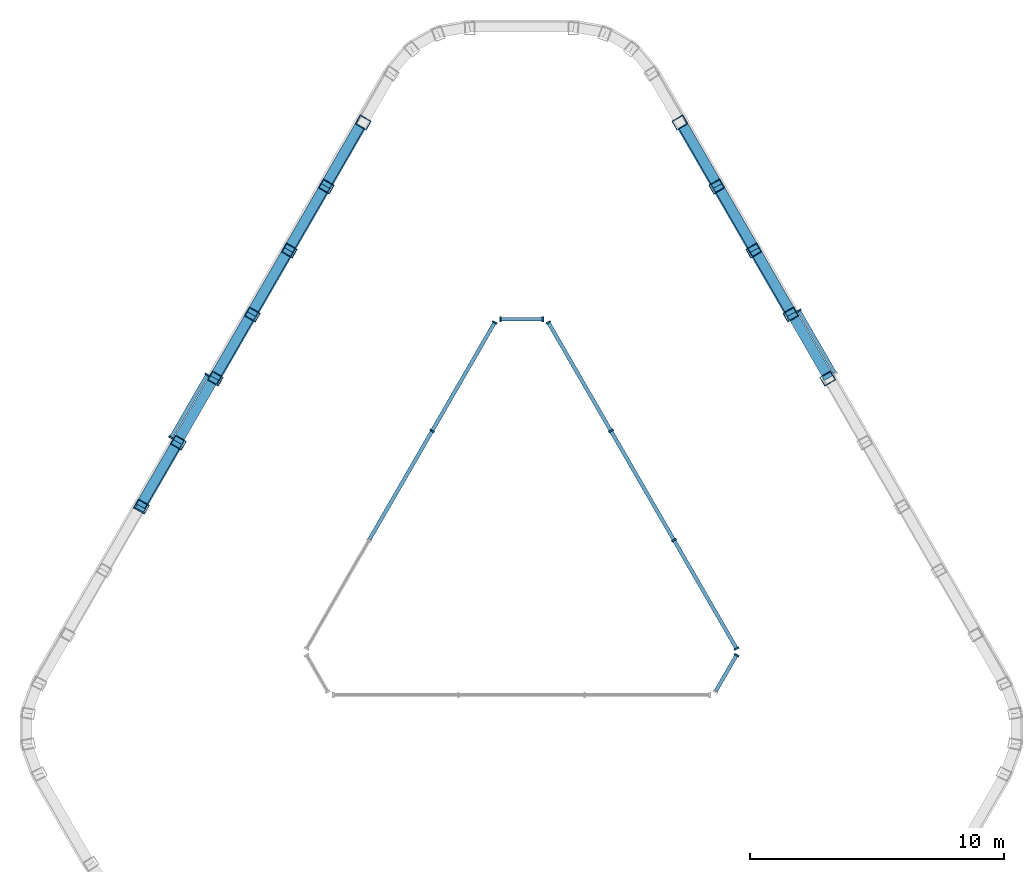
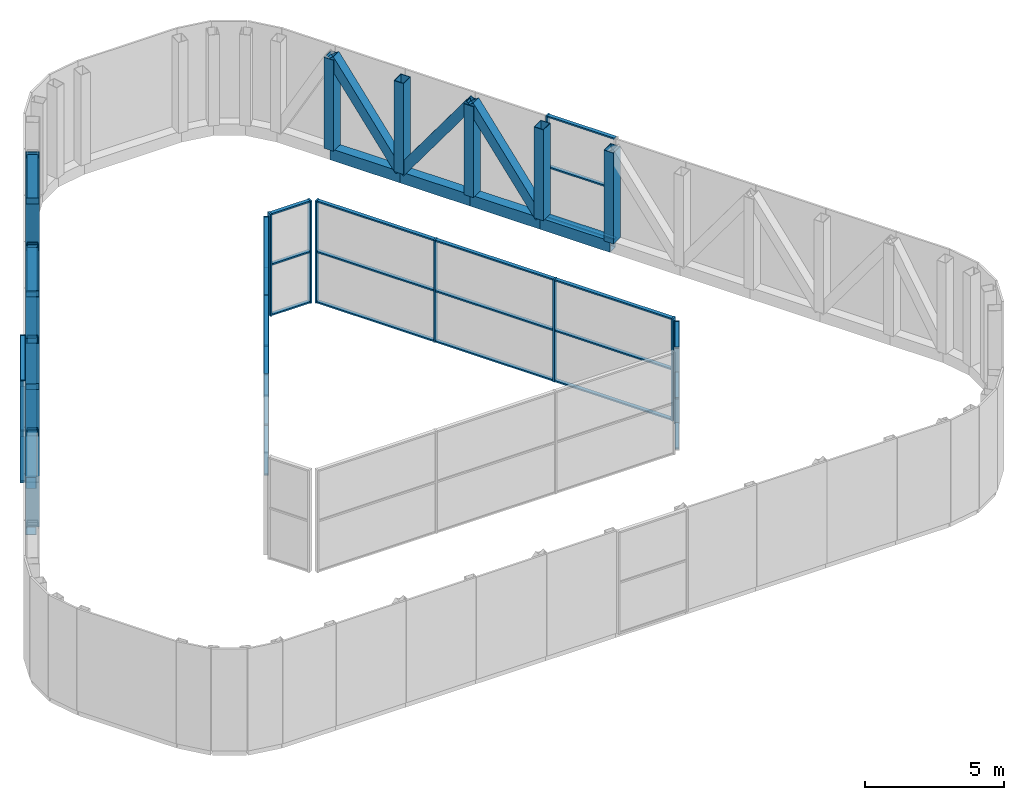
# One storey, part 2 of 5: 69 members, 6 elements without a shape of their own.
"""IFC4 building model written with IfcOpenShell, lengths in metres."""

from ifc_helpers import new_model, si_unit, direction, frame, origin, origin_2d, place, context, subcontext, project, spatial, rectangle, hollow_rectangle, extrude, material, layer, layer_set, material_profile, profile_set, type_object, element, aggregate, save


model = new_model("IFC4")

# Units and contexts
model_context = context("Model", 3, precision=1e-05, world=origin(), true_north=direction((0.0, 1.0)))
body_context = subcontext(model_context, "Body", "Model", "MODEL_VIEW")
ifc_project = project(units=[si_unit("LENGTHUNIT", "METRE"), si_unit("AREAUNIT", "SQUARE_METRE"), si_unit("VOLUMEUNIT", "CUBIC_METRE"), si_unit("PLANEANGLEUNIT", "RADIAN"), si_unit("MASSUNIT", "GRAM", prefix="KILO")], contexts=[model_context])

# Site, building, storey
site_placement = place(None, origin())
site = spatial("IfcSite", under=ifc_project, at=site_placement, CompositionType="ELEMENT")
building_placement = place(site_placement, origin())
building = spatial("IfcBuilding", under=site, at=building_placement, Name="Apuvela Tower Hotel", CompositionType="ELEMENT")
storey_placement = place(building_placement, frame((0.0, 0.0, 353.300048828125)))
storey = spatial("IfcBuildingStorey", under=building, at=storey_placement, Name="R-3 ROOF", CompositionType="ELEMENT", Elevation=353.300048828125)

# Members
ifc_material_1 = material(Name="Steel S355, black paint system", Category="steel")
ifc_material_profile_1 = material_profile(ifc_material_1, hollow_rectangle(XDim=0.39990234375, YDim=0.39990234375, WallThickness=0.01611328125, at=origin_2d()), Name="HSS 400x400x16")
ifc_profile_set_1 = profile_set([ifc_material_profile_1], Name="Steel S355, black paint system")
member_type_1 = type_object("IfcMemberType", Name="ENV-CROWN-BRACE-400x400", PredefinedType="BRACE", material=ifc_profile_set_1)
for number, where, z_axis, x_axis, name in (
    (1, (-7.6923828125, 14.528564453125, 0.25), (0.294239887517, 0.50972631864, 0.808456534811), (-0.866062731661, 0.499935340648, 0.0), "Crown frame brace 8"),
    (2, (-7.6923828125, 14.528564453125, 0.25), (-0.294292360305, -0.509682392621, 0.808465129315), (0.866005469285, -0.500034525977, 0.0), "Crown frame brace 9"),
    (3, (-10.6044921875, 9.485107421875, 0.25), (0.294292360305, 0.509682392621, 0.808465129315), (-0.866005469285, 0.500034525977, 0.0), "Crown frame brace 10"),
    (4, (-10.6044921875, 9.485107421875, 0.25), (-0.294239887517, -0.50972631864, 0.808456534811), (0.866062731661, -0.499935340648, 0.0), "Crown frame brace 11"),
    (5, (-13.516357421875, 4.441162109375, 0.25), (-0.294292360305, -0.509682392621, 0.808465129315), (0.866005469285, -0.500034525977, 0.0), "Crown frame brace 13"),
    (6, (10.6044921875, 9.485107421875, 0.25), (-0.294292360305, 0.509682392621, 0.808465129315), (-0.866005469285, -0.500034525977, 0.0), "Crown frame brace 47"),
    (7, (7.6923828125, 14.528564453125, 0.25), (0.294292360305, -0.509682392621, 0.808465129315), (0.866005469285, 0.500034525977, 0.0), "Crown frame brace 48"),
    (8, (7.6923828125, 14.528564453125, 0.25), (-0.294239887517, 0.50972631864, 0.808456534811), (-0.866062731661, -0.499935340648, 0.0), "Crown frame brace 49"),
):
    element("IfcMember", number, at=place(storey_placement, frame(where, z_axis=z_axis, x_axis=x_axis)), inside=storey, type_object=member_type_1, Name=name, PredefinedType="BRACE", context=body_context, shape_type="SweptSolid", body=[
        extrude(hollow_rectangle(XDim=0.39990234375, YDim=0.39990234375, WallThickness=0.01611328125, at=origin_2d()), origin(), (0.0, 0.0, 1.0), 4.94775390625),
    ])
ifc_material_profile_2 = material_profile(ifc_material_1, hollow_rectangle(XDim=0.39990234375, YDim=0.5, WallThickness=0.02001953125, at=origin_2d()), Name="HSS 500x400x20")
ifc_profile_set_2 = profile_set([ifc_material_profile_2], Name="Steel S355, black paint system")
member_type_2 = type_object("IfcMemberType", Name="ENV-CROWN-POST-500x400", PredefinedType="POST", material=ifc_profile_set_2)
for number, where, z_axis, x_axis, name in (
    (9, (-6.236572265625, 17.050537109375, 0.25), (0.0, 0.0, 1.0), (-0.5, -0.866025403784, 0.0), "Crown frame post 8"),
    (10, (-7.6923828125, 14.528564453125, 0.25), (0.0, 0.0, 1.0), (-0.5, -0.866025403784, 0.0), "Crown frame post 9"),
    (11, (-9.1484375, 12.0068359375, 0.25), (0.0, 0.0, 1.0), (-0.5, -0.866025403784, 0.0), "Crown frame post 10"),
    (12, (-10.6044921875, 9.485107421875, 0.25), (0.0, 0.0, 1.0), (-0.5, -0.866025403784, 0.0), "Crown frame post 11"),
    (13, (-12.060302734375, 6.963134765625, 0.25), (0.0, 0.0, 1.0), (-0.5, -0.866025403784, 0.0), "Crown frame post 12"),
    (14, (-13.516357421875, 4.441162109375, 0.25), (0.0, 0.0, 1.0), (-0.5, -0.866025403784, 0.0), "Crown frame post 13"),
    (15, (-14.972412109375, 1.91943359375, 0.25), (0.0, 0.0, 1.0), (-0.5, -0.866025403784, 0.0), "Crown frame post 14"),
    (16, (12.060302734375, 6.963134765625, 0.25), (0.0, 0.0, 1.0), (-0.5, 0.866025403784, 0.0), "Crown frame post 46"),
    (17, (10.6044921875, 9.485107421875, 0.25), (0.0, 0.0, 1.0), (-0.5, 0.866025403784, 0.0), "Crown frame post 47"),
    (18, (9.1484375, 12.0068359375, 0.25), (0.0, 0.0, 1.0), (-0.5, 0.866025403784, 0.0), "Crown frame post 48"),
    (19, (7.6923828125, 14.528564453125, 0.25), (0.0, 0.0, 1.0), (-0.5, 0.866025403784, 0.0), "Crown frame post 49"),
    (20, (6.236572265625, 17.050537109375, 0.25), (0.0, 0.0, 1.0), (-0.5, 0.866025403784, 0.0), "Crown frame post 50"),
):
    element("IfcMember", number, at=place(storey_placement, frame(where, z_axis=z_axis, x_axis=x_axis)), inside=storey, type_object=member_type_2, Name=name, PredefinedType="POST", context=body_context, shape_type="SweptSolid", body=[
        extrude(hollow_rectangle(XDim=0.39990234375, YDim=0.5, WallThickness=0.02001953125, at=origin_2d()), origin(), (0.0, 0.0, 1.0), 4.0),
    ])
ifc_material_profile_3 = material_profile(ifc_material_1, hollow_rectangle(XDim=0.39990234375, YDim=0.5, WallThickness=0.01611328125, at=origin_2d()), Name="HSS 500x400x16")
ifc_profile_set_3 = profile_set([ifc_material_profile_3], Name="Steel S355, black paint system")
member_type_3 = type_object("IfcMemberType", Name="ENV-CROWN-RING-500x400", PredefinedType="STRINGER", material=ifc_profile_set_3)
member_1_placement = place(storey_placement, frame((-6.27783203125, 17.07861328125, 0.0), z_axis=(-0.500015065024, -0.866016705814, 0.0), x_axis=(0.866016705814, -0.500015065024, 0.0)))
element("IfcMember", 21, at=member_1_placement, inside=storey, type_object=member_type_3, Name="Crown frame ring beam 3.8", PredefinedType="STRINGER", context=body_context, shape_type="SweptSolid", body=[
    extrude(hollow_rectangle(XDim=0.39990234375, YDim=0.5, WallThickness=0.01611328125, at=origin_2d()), origin(), (0.0, 0.0, 1.0), 2.9130859375),
])
for number, where, z_axis, x_axis, name in (
    (22, (-7.734375, 14.555908203125, 0.0), (-0.500051359076, -0.865995749577, 0.0), (0.865995749577, -0.500051359076, 0.0), "Crown frame ring beam 3.9"),
    (23, (-9.19091796875, 12.033447265625, 0.0), (-0.499952204256, -0.866052996912, 0.0), (0.866052996912, -0.499952204256, 0.0), "Crown frame ring beam 3.10"),
):
    element("IfcMember", number, at=place(storey_placement, frame(where, z_axis=z_axis, x_axis=x_axis)), inside=storey, type_object=member_type_3, Name=name, PredefinedType="STRINGER", context=body_context, shape_type="SweptSolid", body=[
        extrude(hollow_rectangle(XDim=0.39990234375, YDim=0.5, WallThickness=0.01611328125, at=origin_2d()), origin(), (0.0, 0.0, 1.0), 2.912841796875),
    ])
for number, where, z_axis, x_axis, name in (
    (24, (-10.647216796875, 9.5107421875, 0.0), (-0.500015065024, -0.866016705814, 0.0), (0.866016705814, -0.500015065024, 0.0), "Crown frame ring beam 3.11"),
    (25, (-12.103759765625, 6.988037109375, 0.0), (-0.500015065024, -0.866016705814, 0.0), (0.866016705814, -0.500015065024, 0.0), "Crown frame ring beam 3.12"),
):
    element("IfcMember", number, at=place(storey_placement, frame(where, z_axis=z_axis, x_axis=x_axis)), inside=storey, type_object=member_type_3, Name=name, PredefinedType="STRINGER", context=body_context, shape_type="SweptSolid", body=[
        extrude(hollow_rectangle(XDim=0.39990234375, YDim=0.5, WallThickness=0.01611328125, at=origin_2d()), origin(), (0.0, 0.0, 1.0), 2.9130859375),
    ])
member_2_placement = place(storey_placement, frame((-13.560302734375, 4.46533203125, 0.0), z_axis=(-0.499988496788, -0.866032045065, 0.0), x_axis=(0.866032045065, -0.499988496788, 0.0)))
element("IfcMember", 26, at=member_2_placement, inside=storey, type_object=member_type_3, Name="Crown frame ring beam 3.13", PredefinedType="STRINGER", context=body_context, shape_type="SweptSolid", body=[
    extrude(hollow_rectangle(XDim=0.39990234375, YDim=0.5, WallThickness=0.01611328125, at=origin_2d()), origin(), (0.0, 0.0, 1.0), 2.91259765625),
])
member_3_placement = place(storey_placement, frame((12.103759765625, 6.988037109375, 0.0), z_axis=(-0.500015065024, 0.866016705814, 0.0), x_axis=(-0.866016705814, -0.500015065024, 0.0)))
element("IfcMember", 27, at=member_3_placement, inside=storey, type_object=member_type_3, Name="Crown frame ring beam 3.46", PredefinedType="STRINGER", context=body_context, shape_type="SweptSolid", body=[
    extrude(hollow_rectangle(XDim=0.39990234375, YDim=0.5, WallThickness=0.01611328125, at=origin_2d()), origin(), (0.0, 0.0, 1.0), 2.9130859375),
])
for number, where, z_axis, x_axis, name in (
    (28, (10.647216796875, 9.5107421875, 0.0), (-0.499952204256, 0.866052996912, 0.0), (-0.866052996912, -0.499952204256, 0.0), "Crown frame ring beam 3.47"),
    (29, (9.19091796875, 12.033447265625, 0.0), (-0.500051359076, 0.865995749577, 0.0), (-0.865995749577, -0.500051359076, 0.0), "Crown frame ring beam 3.48"),
):
    element("IfcMember", number, at=place(storey_placement, frame(where, z_axis=z_axis, x_axis=x_axis)), inside=storey, type_object=member_type_3, Name=name, PredefinedType="STRINGER", context=body_context, shape_type="SweptSolid", body=[
        extrude(hollow_rectangle(XDim=0.39990234375, YDim=0.5, WallThickness=0.01611328125, at=origin_2d()), origin(), (0.0, 0.0, 1.0), 2.912841796875),
    ])
member_4_placement = place(storey_placement, frame((7.734375, 14.555908203125, 0.0), z_axis=(-0.500015065024, 0.866016705814, 0.0), x_axis=(-0.866016705814, -0.500015065024, 0.0)))
element("IfcMember", 30, at=member_4_placement, inside=storey, type_object=member_type_3, Name="Crown frame ring beam 3.49", PredefinedType="STRINGER", context=body_context, shape_type="SweptSolid", body=[
    extrude(hollow_rectangle(XDim=0.39990234375, YDim=0.5, WallThickness=0.01611328125, at=origin_2d()), origin(), (0.0, 0.0, 1.0), 2.9130859375),
])

# Curtain wall, members
ifc_material_2 = material(Name="Aluminium 6063-T6, dark bronze anodised", Category="aluminium")
ifc_layer_1 = layer(ifc_material_2, 0.199951171875)
ifc_layer_set_1 = layer_set([ifc_layer_1], Name="ENV-CW-C")
curtain_wall_type_1 = type_object("IfcCurtainWallType", Name="ENV-CW-C", PredefinedType="NOTDEFINED", material=ifc_layer_set_1)
curtain_wall_1_placement = place(storey_placement, origin())
curtain_wall_1 = element("IfcCurtainWall", 31, at=curtain_wall_1_placement, inside=storey, type_object=curtain_wall_type_1, Name="Crown glazing 12 R-3 ROOF", PredefinedType="NOTDEFINED")
ifc_material_profile_4 = material_profile(ifc_material_2, rectangle(XDim=0.199951171875, YDim=0.06494140625, at=origin_2d()), Name="AL 65x200")
ifc_profile_set_4 = profile_set([ifc_material_profile_4], Name="Aluminium 6063-T6, dark bronze anodised")
member_type_4 = type_object("IfcMemberType", Name="ENV-MULLION-65x200", PredefinedType="MULLION", material=ifc_profile_set_4)
member_5_placement = place(storey_placement, frame((-12.3798828125, 7.10986328125, 0.0), z_axis=(0.0, 0.0, 1.0), x_axis=(0.866036603266, -0.499980601426, 0.0)))
member_5 = element("IfcMember", 32, at=member_5_placement, type_object=member_type_4, Name="CW-C mullion 1", PredefinedType="MULLION", context=body_context, shape_type="SweptSolid", body=[
    extrude(rectangle(XDim=0.199951171875, YDim=0.06494140625, at=origin_2d()), origin(), (0.0, 0.0, 1.0), 4.5),
])
member_6_placement = place(storey_placement, frame((-13.805908203125, 4.6396484375, 0.0), z_axis=(0.0, 0.0, 1.0), x_axis=(0.866036603266, -0.499980601426, 0.0)))
member_6 = element("IfcMember", 33, at=member_6_placement, type_object=member_type_4, Name="CW-C mullion 2", PredefinedType="MULLION", context=body_context, shape_type="SweptSolid", body=[
    extrude(rectangle(XDim=0.199951171875, YDim=0.06494140625, at=origin_2d()), origin(), (0.0, 0.0, 1.0), 4.5),
])

# Curtain wall, member
curtain_wall_2_placement = place(storey_placement, origin())
curtain_wall_2 = element("IfcCurtainWall", 34, at=curtain_wall_2_placement, inside=storey, type_object=curtain_wall_type_1, Name="Crown glazing 46 R-3 ROOF", PredefinedType="NOTDEFINED")
member_7_placement = place(storey_placement, frame((10.921142578125, 9.636474609375, 0.0), z_axis=(0.0, 0.0, 1.0), x_axis=(-0.866021760657, -0.500006310028, 0.0)))
member_7 = element("IfcMember", 35, at=member_7_placement, type_object=member_type_4, Name="CW-C mullion 2", PredefinedType="MULLION", context=body_context, shape_type="SweptSolid", body=[
    extrude(rectangle(XDim=0.199951171875, YDim=0.06494140625, at=origin_2d()), origin(), (0.0, 0.0, 1.0), 4.5),
])

# Curtain wall, members
ifc_layer_2 = layer(ifc_material_2, 0.199951171875)
ifc_layer_set_2 = layer_set([ifc_layer_2], Name="ENV-CW-A")
curtain_wall_type_2 = type_object("IfcCurtainWallType", Name="ENV-CW-A", PredefinedType="NOTDEFINED", material=ifc_layer_set_2)
curtain_wall_3_placement = place(storey_placement, origin())
curtain_wall_3 = element("IfcCurtainWall", 36, at=curtain_wall_3_placement, inside=storey, type_object=curtain_wall_type_2, Name="Atrium glazing 1 R-3 ROOF", PredefinedType="NOTDEFINED")
member_8_placement = place(storey_placement, frame((0.83349609375, 9.300048828125, 0.0), z_axis=(0.0, 0.0, 1.0), x_axis=(0.0, -1.0, 0.0)))
member_8 = element("IfcMember", 37, at=member_8_placement, type_object=member_type_4, Name="CW-A mullion 1", PredefinedType="MULLION", context=body_context, shape_type="SweptSolid", body=[
    extrude(rectangle(XDim=0.199951171875, YDim=0.06494140625, at=origin_2d()), origin(), (0.0, 0.0, 1.0), 4.5),
])
member_9_placement = place(storey_placement, frame((-0.83349609375, 9.300048828125, 0.0), z_axis=(0.0, 0.0, 1.0), x_axis=(0.0, -1.0, 0.0)))
member_9 = element("IfcMember", 38, at=member_9_placement, type_object=member_type_4, Name="CW-A mullion 2", PredefinedType="MULLION", context=body_context, shape_type="SweptSolid", body=[
    extrude(rectangle(XDim=0.199951171875, YDim=0.06494140625, at=origin_2d()), origin(), (0.0, 0.0, 1.0), 4.5),
])

curtain_wall_4_placement = place(storey_placement, origin())
curtain_wall_4 = element("IfcCurtainWall", 39, at=curtain_wall_4_placement, inside=storey, type_object=curtain_wall_type_2, Name="Atrium glazing 2 R-3 ROOF", PredefinedType="NOTDEFINED")
member_10_placement = place(storey_placement, frame((-1.055419921875, 9.171875, 0.0), z_axis=(0.0, 0.0, 1.0), x_axis=(0.866025940778, -0.499999069899, 0.0)))
member_10 = element("IfcMember", 40, at=member_10_placement, type_object=member_type_4, Name="CW-A mullion 1", PredefinedType="MULLION", context=body_context, shape_type="SweptSolid", body=[
    extrude(rectangle(XDim=0.199951171875, YDim=0.06494140625, at=origin_2d()), origin(), (0.0, 0.0, 1.0), 4.5),
])
member_11_placement = place(storey_placement, frame((-3.521728515625, 4.89990234375, 0.0), z_axis=(0.0, 0.0, 1.0), x_axis=(0.866025940778, -0.499999069899, 0.0)))
member_11 = element("IfcMember", 41, at=member_11_placement, type_object=member_type_4, Name="CW-A mullion 2", PredefinedType="MULLION", context=body_context, shape_type="SweptSolid", body=[
    extrude(rectangle(XDim=0.199951171875, YDim=0.06494140625, at=origin_2d()), origin(), (0.0, 0.0, 1.0), 4.5),
])

# Curtain wall, member
curtain_wall_5_placement = place(storey_placement, origin())
curtain_wall_5 = element("IfcCurtainWall", 42, at=curtain_wall_5_placement, inside=storey, type_object=curtain_wall_type_2, Name="Atrium glazing 5 R-3 ROOF", PredefinedType="NOTDEFINED")
member_12_placement = place(storey_placement, frame((8.470703125, -3.92822265625, 0.0), z_axis=(0.0, 0.0, 1.0), x_axis=(-0.866031754706, 0.49998899972, 0.0)))
member_12 = element("IfcMember", 43, at=member_12_placement, type_object=member_type_4, Name="CW-A mullion 2", PredefinedType="MULLION", context=body_context, shape_type="SweptSolid", body=[
    extrude(rectangle(XDim=0.199951171875, YDim=0.06494140625, at=origin_2d()), origin(), (0.0, 0.0, 1.0), 4.5),
])

# Curtain wall, members
curtain_wall_6_placement = place(storey_placement, origin())
curtain_wall_6 = element("IfcCurtainWall", 44, at=curtain_wall_6_placement, inside=storey, type_object=curtain_wall_type_2, Name="Atrium glazing 6 R-3 ROOF", PredefinedType="NOTDEFINED")
member_13_placement = place(storey_placement, frame((8.470703125, -3.671875, 0.0), z_axis=(0.0, 0.0, 1.0), x_axis=(-0.866025940778, -0.499999069899, 0.0)))
member_13 = element("IfcMember", 45, at=member_13_placement, type_object=member_type_4, Name="CW-A mullion 1", PredefinedType="MULLION", context=body_context, shape_type="SweptSolid", body=[
    extrude(rectangle(XDim=0.199951171875, YDim=0.06494140625, at=origin_2d()), origin(), (0.0, 0.0, 1.0), 4.5),
])
member_14_placement = place(storey_placement, frame((6.00439453125, 0.60009765625, 0.0), z_axis=(0.0, 0.0, 1.0), x_axis=(-0.866025940778, -0.499999069899, 0.0)))
member_14 = element("IfcMember", 46, at=member_14_placement, type_object=member_type_4, Name="CW-A mullion 2", PredefinedType="MULLION", context=body_context, shape_type="SweptSolid", body=[
    extrude(rectangle(XDim=0.199951171875, YDim=0.06494140625, at=origin_2d()), origin(), (0.0, 0.0, 1.0), 4.5),
])
member_15_placement = place(storey_placement, frame((3.521728515625, 4.89990234375, 0.0), z_axis=(0.0, 0.0, 1.0), x_axis=(-0.866025940778, -0.499999069899, 0.0)))
member_15 = element("IfcMember", 47, at=member_15_placement, type_object=member_type_4, Name="CW-A mullion 3", PredefinedType="MULLION", context=body_context, shape_type="SweptSolid", body=[
    extrude(rectangle(XDim=0.199951171875, YDim=0.06494140625, at=origin_2d()), origin(), (0.0, 0.0, 1.0), 4.5),
])
member_16_placement = place(storey_placement, frame((1.055419921875, 9.171875, 0.0), z_axis=(0.0, 0.0, 1.0), x_axis=(-0.866025940778, -0.499999069899, 0.0)))
member_16 = element("IfcMember", 48, at=member_16_placement, type_object=member_type_4, Name="CW-A mullion 4", PredefinedType="MULLION", context=body_context, shape_type="SweptSolid", body=[
    extrude(rectangle(XDim=0.199951171875, YDim=0.06494140625, at=origin_2d()), origin(), (0.0, 0.0, 1.0), 4.5),
])

# Member
ifc_material_profile_5 = material_profile(ifc_material_2, rectangle(XDim=0.14990234375, YDim=0.06494140625, at=origin_2d()), Name="AL 65x150 transom")
ifc_profile_set_5 = profile_set([ifc_material_profile_5], Name="Aluminium 6063-T6, dark bronze anodised")
member_type_5 = type_object("IfcMemberType", Name="ENV-TRANSOM-65x150", PredefinedType="USERDEFINED", material=ifc_profile_set_5)
member_17_placement = place(storey_placement, frame((-12.39599609375, 7.081787109375, 0.032470703125), z_axis=(-0.500048472683, -0.865997416259, 0.0), x_axis=(0.865997416259, -0.500048472683, 0.0)))
member_17 = element("IfcMember", 49, at=member_17_placement, type_object=member_type_5, Name="CW-C transom 1.1", ObjectType="TRANSOM", PredefinedType="USERDEFINED", context=body_context, shape_type="SweptSolid", body=[
    extrude(rectangle(XDim=0.14990234375, YDim=0.06494140625, at=origin_2d()), origin(), (0.0, 0.0, 1.0), 2.787353515625),
])

member_18_placement = place(storey_placement, frame((-12.39599609375, 7.081787109375, 2.25), z_axis=(-0.500048472683, -0.865997416259, 0.0), x_axis=(0.865997416259, -0.500048472683, 0.0)))
member_18 = element("IfcMember", 50, at=member_18_placement, type_object=member_type_5, Name="CW-C transom 1.2", ObjectType="TRANSOM", PredefinedType="USERDEFINED", context=body_context, shape_type="SweptSolid", body=[
    extrude(rectangle(XDim=0.14990234375, YDim=0.06494140625, at=origin_2d()), origin(), (0.0, 0.0, 1.0), 2.787353515625),
])

member_19_placement = place(storey_placement, frame((-12.39599609375, 7.081787109375, 4.467529296875), z_axis=(-0.500048472683, -0.865997416259, 0.0), x_axis=(0.865997416259, -0.500048472683, 0.0)))
member_19 = element("IfcMember", 51, at=member_19_placement, type_object=member_type_5, Name="CW-C transom 1.3", ObjectType="TRANSOM", PredefinedType="USERDEFINED", context=body_context, shape_type="SweptSolid", body=[
    extrude(rectangle(XDim=0.14990234375, YDim=0.06494140625, at=origin_2d()), origin(), (0.0, 0.0, 1.0), 2.787353515625),
])

aggregate(curtain_wall_1, [member_5, member_6, member_17, member_18, member_19])

member_20_placement = place(storey_placement, frame((12.3310546875, 7.1943359375, 0.032470703125), z_axis=(-0.499944854726, 0.866057239582, 0.0), x_axis=(-0.866057239582, -0.499944854726, 0.0)))
member_20 = element("IfcMember", 52, at=member_20_placement, type_object=member_type_5, Name="CW-C transom 1.1", ObjectType="TRANSOM", PredefinedType="USERDEFINED", context=body_context, shape_type="SweptSolid", body=[
    extrude(rectangle(XDim=0.14990234375, YDim=0.06494140625, at=origin_2d()), origin(), (0.0, 0.0, 1.0), 2.787353515625),
])

member_21_placement = place(storey_placement, frame((12.3310546875, 7.1943359375, 2.25), z_axis=(-0.499944854726, 0.866057239582, 0.0), x_axis=(-0.866057239582, -0.499944854726, 0.0)))
member_21 = element("IfcMember", 53, at=member_21_placement, type_object=member_type_5, Name="CW-C transom 1.2", ObjectType="TRANSOM", PredefinedType="USERDEFINED", context=body_context, shape_type="SweptSolid", body=[
    extrude(rectangle(XDim=0.14990234375, YDim=0.06494140625, at=origin_2d()), origin(), (0.0, 0.0, 1.0), 2.787353515625),
])

member_22_placement = place(storey_placement, frame((12.3310546875, 7.1943359375, 4.467529296875), z_axis=(-0.499944854726, 0.866057239582, 0.0), x_axis=(-0.866057239582, -0.499944854726, 0.0)))
member_22 = element("IfcMember", 54, at=member_22_placement, type_object=member_type_5, Name="CW-C transom 1.3", ObjectType="TRANSOM", PredefinedType="USERDEFINED", context=body_context, shape_type="SweptSolid", body=[
    extrude(rectangle(XDim=0.14990234375, YDim=0.06494140625, at=origin_2d()), origin(), (0.0, 0.0, 1.0), 2.787353515625),
])

aggregate(curtain_wall_2, [member_7, member_20, member_21, member_22])

member_23_placement = place(storey_placement, frame((0.801025390625, 9.300048828125, 0.032470703125), z_axis=(-1.0, 0.0, 0.0), x_axis=(0.0, -1.0, 0.0)))
member_23 = element("IfcMember", 55, at=member_23_placement, type_object=member_type_5, Name="CW-A transom 1.1", ObjectType="TRANSOM", PredefinedType="USERDEFINED", context=body_context, shape_type="SweptSolid", body=[
    extrude(rectangle(XDim=0.14990234375, YDim=0.06494140625, at=origin_2d()), origin(), (0.0, 0.0, 1.0), 1.60205078125),
])

member_24_placement = place(storey_placement, frame((0.801025390625, 9.300048828125, 2.25), z_axis=(-1.0, 0.0, 0.0), x_axis=(0.0, -1.0, 0.0)))
member_24 = element("IfcMember", 56, at=member_24_placement, type_object=member_type_5, Name="CW-A transom 1.2", ObjectType="TRANSOM", PredefinedType="USERDEFINED", context=body_context, shape_type="SweptSolid", body=[
    extrude(rectangle(XDim=0.14990234375, YDim=0.06494140625, at=origin_2d()), origin(), (0.0, 0.0, 1.0), 1.60205078125),
])

member_25_placement = place(storey_placement, frame((0.801025390625, 9.300048828125, 4.467529296875), z_axis=(-1.0, 0.0, 0.0), x_axis=(0.0, -1.0, 0.0)))
member_25 = element("IfcMember", 57, at=member_25_placement, type_object=member_type_5, Name="CW-A transom 1.3", ObjectType="TRANSOM", PredefinedType="USERDEFINED", context=body_context, shape_type="SweptSolid", body=[
    extrude(rectangle(XDim=0.14990234375, YDim=0.06494140625, at=origin_2d()), origin(), (0.0, 0.0, 1.0), 1.60205078125),
])

aggregate(curtain_wall_3, [member_8, member_9, member_23, member_24, member_25])

member_26_placement = place(storey_placement, frame((-1.07177734375, 9.143798828125, 0.032470703125), z_axis=(-0.49999597136, -0.866027729709, 0.0), x_axis=(0.866027729709, -0.49999597136, 0.0)))
member_26 = element("IfcMember", 58, at=member_26_placement, type_object=member_type_5, Name="CW-A transom 1.1", ObjectType="TRANSOM", PredefinedType="USERDEFINED", context=body_context, shape_type="SweptSolid", body=[
    extrude(rectangle(XDim=0.14990234375, YDim=0.06494140625, at=origin_2d()), origin(), (0.0, 0.0, 1.0), 4.86767578125),
])

member_27_placement = place(storey_placement, frame((-1.07177734375, 9.143798828125, 2.25), z_axis=(-0.49999597136, -0.866027729709, 0.0), x_axis=(0.866027729709, -0.49999597136, 0.0)))
member_27 = element("IfcMember", 59, at=member_27_placement, type_object=member_type_5, Name="CW-A transom 1.2", ObjectType="TRANSOM", PredefinedType="USERDEFINED", context=body_context, shape_type="SweptSolid", body=[
    extrude(rectangle(XDim=0.14990234375, YDim=0.06494140625, at=origin_2d()), origin(), (0.0, 0.0, 1.0), 4.86767578125),
])

member_28_placement = place(storey_placement, frame((-1.07177734375, 9.143798828125, 4.467529296875), z_axis=(-0.49999597136, -0.866027729709, 0.0), x_axis=(0.866027729709, -0.49999597136, 0.0)))
member_28 = element("IfcMember", 60, at=member_28_placement, type_object=member_type_5, Name="CW-A transom 1.3", ObjectType="TRANSOM", PredefinedType="USERDEFINED", context=body_context, shape_type="SweptSolid", body=[
    extrude(rectangle(XDim=0.14990234375, YDim=0.06494140625, at=origin_2d()), origin(), (0.0, 0.0, 1.0), 4.86767578125),
])

member_29_placement = place(storey_placement, frame((-3.5380859375, 4.871826171875, 0.032470703125), z_axis=(-0.49998122708, -0.866036242063, 0.0), x_axis=(0.866036242063, -0.49998122708, 0.0)))
member_29 = element("IfcMember", 61, at=member_29_placement, type_object=member_type_5, Name="CW-A transom 2.1", ObjectType="TRANSOM", PredefinedType="USERDEFINED", context=body_context, shape_type="SweptSolid", body=[
    extrude(rectangle(XDim=0.14990234375, YDim=0.06494140625, at=origin_2d()), origin(), (0.0, 0.0, 1.0), 4.900146484375),
])

member_30_placement = place(storey_placement, frame((-3.5380859375, 4.871826171875, 2.25), z_axis=(-0.49998122708, -0.866036242063, 0.0), x_axis=(0.866036242063, -0.49998122708, 0.0)))
member_30 = element("IfcMember", 62, at=member_30_placement, type_object=member_type_5, Name="CW-A transom 2.2", ObjectType="TRANSOM", PredefinedType="USERDEFINED", context=body_context, shape_type="SweptSolid", body=[
    extrude(rectangle(XDim=0.14990234375, YDim=0.06494140625, at=origin_2d()), origin(), (0.0, 0.0, 1.0), 4.900146484375),
])

member_31_placement = place(storey_placement, frame((-3.5380859375, 4.871826171875, 4.467529296875), z_axis=(-0.49998122708, -0.866036242063, 0.0), x_axis=(0.866036242063, -0.49998122708, 0.0)))
member_31 = element("IfcMember", 63, at=member_31_placement, type_object=member_type_5, Name="CW-A transom 2.3", ObjectType="TRANSOM", PredefinedType="USERDEFINED", context=body_context, shape_type="SweptSolid", body=[
    extrude(rectangle(XDim=0.14990234375, YDim=0.06494140625, at=origin_2d()), origin(), (0.0, 0.0, 1.0), 4.900146484375),
])

aggregate(curtain_wall_4, [member_10, member_11, member_26, member_27, member_28, member_29, member_30, member_31])

member_32_placement = place(storey_placement, frame((7.653564453125, -5.34375, 0.032470703125), z_axis=(0.499990676028, 0.866030786915, 0.0), x_axis=(-0.866030786915, 0.499990676028, 0.0)))
member_32 = element("IfcMember", 64, at=member_32_placement, type_object=member_type_5, Name="CW-A transom 1.1", ObjectType="TRANSOM", PredefinedType="USERDEFINED", context=body_context, shape_type="SweptSolid", body=[
    extrude(rectangle(XDim=0.14990234375, YDim=0.06494140625, at=origin_2d()), origin(), (0.0, 0.0, 1.0), 1.60205078125),
])

member_33_placement = place(storey_placement, frame((7.653564453125, -5.34375, 2.25), z_axis=(0.499990676028, 0.866030786915, 0.0), x_axis=(-0.866030786915, 0.499990676028, 0.0)))
member_33 = element("IfcMember", 65, at=member_33_placement, type_object=member_type_5, Name="CW-A transom 1.2", ObjectType="TRANSOM", PredefinedType="USERDEFINED", context=body_context, shape_type="SweptSolid", body=[
    extrude(rectangle(XDim=0.14990234375, YDim=0.06494140625, at=origin_2d()), origin(), (0.0, 0.0, 1.0), 1.60205078125),
])

member_34_placement = place(storey_placement, frame((7.653564453125, -5.34375, 4.467529296875), z_axis=(0.499990676028, 0.866030786915, 0.0), x_axis=(-0.866030786915, 0.499990676028, 0.0)))
member_34 = element("IfcMember", 66, at=member_34_placement, type_object=member_type_5, Name="CW-A transom 1.3", ObjectType="TRANSOM", PredefinedType="USERDEFINED", context=body_context, shape_type="SweptSolid", body=[
    extrude(rectangle(XDim=0.14990234375, YDim=0.06494140625, at=origin_2d()), origin(), (0.0, 0.0, 1.0), 1.60205078125),
])

aggregate(curtain_wall_5, [member_12, member_32, member_33, member_34])

member_35_placement = place(storey_placement, frame((8.45458984375, -3.643798828125, 0.032470703125), z_axis=(-0.49999597136, 0.866027729709, 0.0), x_axis=(-0.866027729709, -0.49999597136, 0.0)))
member_35 = element("IfcMember", 67, at=member_35_placement, type_object=member_type_5, Name="CW-A transom 1.1", ObjectType="TRANSOM", PredefinedType="USERDEFINED", context=body_context, shape_type="SweptSolid", body=[
    extrude(rectangle(XDim=0.14990234375, YDim=0.06494140625, at=origin_2d()), origin(), (0.0, 0.0, 1.0), 4.86767578125),
])

member_36_placement = place(storey_placement, frame((8.45458984375, -3.643798828125, 2.25), z_axis=(-0.49999597136, 0.866027729709, 0.0), x_axis=(-0.866027729709, -0.49999597136, 0.0)))
member_36 = element("IfcMember", 68, at=member_36_placement, type_object=member_type_5, Name="CW-A transom 1.2", ObjectType="TRANSOM", PredefinedType="USERDEFINED", context=body_context, shape_type="SweptSolid", body=[
    extrude(rectangle(XDim=0.14990234375, YDim=0.06494140625, at=origin_2d()), origin(), (0.0, 0.0, 1.0), 4.86767578125),
])

member_37_placement = place(storey_placement, frame((8.45458984375, -3.643798828125, 4.467529296875), z_axis=(-0.49999597136, 0.866027729709, 0.0), x_axis=(-0.866027729709, -0.49999597136, 0.0)))
member_37 = element("IfcMember", 69, at=member_37_placement, type_object=member_type_5, Name="CW-A transom 1.3", ObjectType="TRANSOM", PredefinedType="USERDEFINED", context=body_context, shape_type="SweptSolid", body=[
    extrude(rectangle(XDim=0.14990234375, YDim=0.06494140625, at=origin_2d()), origin(), (0.0, 0.0, 1.0), 4.86767578125),
])

member_38_placement = place(storey_placement, frame((5.988037109375, 0.628173828125, 0.032470703125), z_axis=(-0.49998122708, 0.866036242063, 0.0), x_axis=(-0.866036242063, -0.49998122708, 0.0)))
member_38 = element("IfcMember", 70, at=member_38_placement, type_object=member_type_5, Name="CW-A transom 2.1", ObjectType="TRANSOM", PredefinedType="USERDEFINED", context=body_context, shape_type="SweptSolid", body=[
    extrude(rectangle(XDim=0.14990234375, YDim=0.06494140625, at=origin_2d()), origin(), (0.0, 0.0, 1.0), 4.900146484375),
])

member_39_placement = place(storey_placement, frame((5.988037109375, 0.628173828125, 2.25), z_axis=(-0.49998122708, 0.866036242063, 0.0), x_axis=(-0.866036242063, -0.49998122708, 0.0)))
member_39 = element("IfcMember", 71, at=member_39_placement, type_object=member_type_5, Name="CW-A transom 2.2", ObjectType="TRANSOM", PredefinedType="USERDEFINED", context=body_context, shape_type="SweptSolid", body=[
    extrude(rectangle(XDim=0.14990234375, YDim=0.06494140625, at=origin_2d()), origin(), (0.0, 0.0, 1.0), 4.900146484375),
])

member_40_placement = place(storey_placement, frame((5.988037109375, 0.628173828125, 4.467529296875), z_axis=(-0.49998122708, 0.866036242063, 0.0), x_axis=(-0.866036242063, -0.49998122708, 0.0)))
member_40 = element("IfcMember", 72, at=member_40_placement, type_object=member_type_5, Name="CW-A transom 2.3", ObjectType="TRANSOM", PredefinedType="USERDEFINED", context=body_context, shape_type="SweptSolid", body=[
    extrude(rectangle(XDim=0.14990234375, YDim=0.06494140625, at=origin_2d()), origin(), (0.0, 0.0, 1.0), 4.900146484375),
])

member_41_placement = place(storey_placement, frame((3.505615234375, 4.92822265625, 0.032470703125), z_axis=(-0.49999597136, 0.866027729709, 0.0), x_axis=(-0.866027729709, -0.49999597136, 0.0)))
member_41 = element("IfcMember", 73, at=member_41_placement, type_object=member_type_5, Name="CW-A transom 3.1", ObjectType="TRANSOM", PredefinedType="USERDEFINED", context=body_context, shape_type="SweptSolid", body=[
    extrude(rectangle(XDim=0.14990234375, YDim=0.06494140625, at=origin_2d()), origin(), (0.0, 0.0, 1.0), 4.86767578125),
])

member_42_placement = place(storey_placement, frame((3.505615234375, 4.92822265625, 2.25), z_axis=(-0.49999597136, 0.866027729709, 0.0), x_axis=(-0.866027729709, -0.49999597136, 0.0)))
member_42 = element("IfcMember", 74, at=member_42_placement, type_object=member_type_5, Name="CW-A transom 3.2", ObjectType="TRANSOM", PredefinedType="USERDEFINED", context=body_context, shape_type="SweptSolid", body=[
    extrude(rectangle(XDim=0.14990234375, YDim=0.06494140625, at=origin_2d()), origin(), (0.0, 0.0, 1.0), 4.86767578125),
])

member_43_placement = place(storey_placement, frame((3.505615234375, 4.92822265625, 4.467529296875), z_axis=(-0.49999597136, 0.866027729709, 0.0), x_axis=(-0.866027729709, -0.49999597136, 0.0)))
member_43 = element("IfcMember", 75, at=member_43_placement, type_object=member_type_5, Name="CW-A transom 3.3", ObjectType="TRANSOM", PredefinedType="USERDEFINED", context=body_context, shape_type="SweptSolid", body=[
    extrude(rectangle(XDim=0.14990234375, YDim=0.06494140625, at=origin_2d()), origin(), (0.0, 0.0, 1.0), 4.86767578125),
])

aggregate(curtain_wall_6, [member_13, member_14, member_15, member_16, member_35, member_36, member_37, member_38, member_39, member_40, member_41, member_42, member_43])

save(model, "model.ifc")
